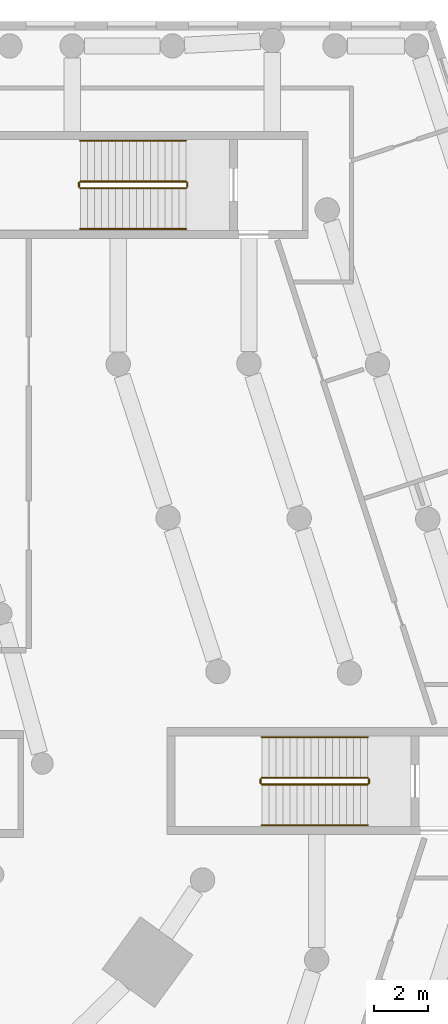
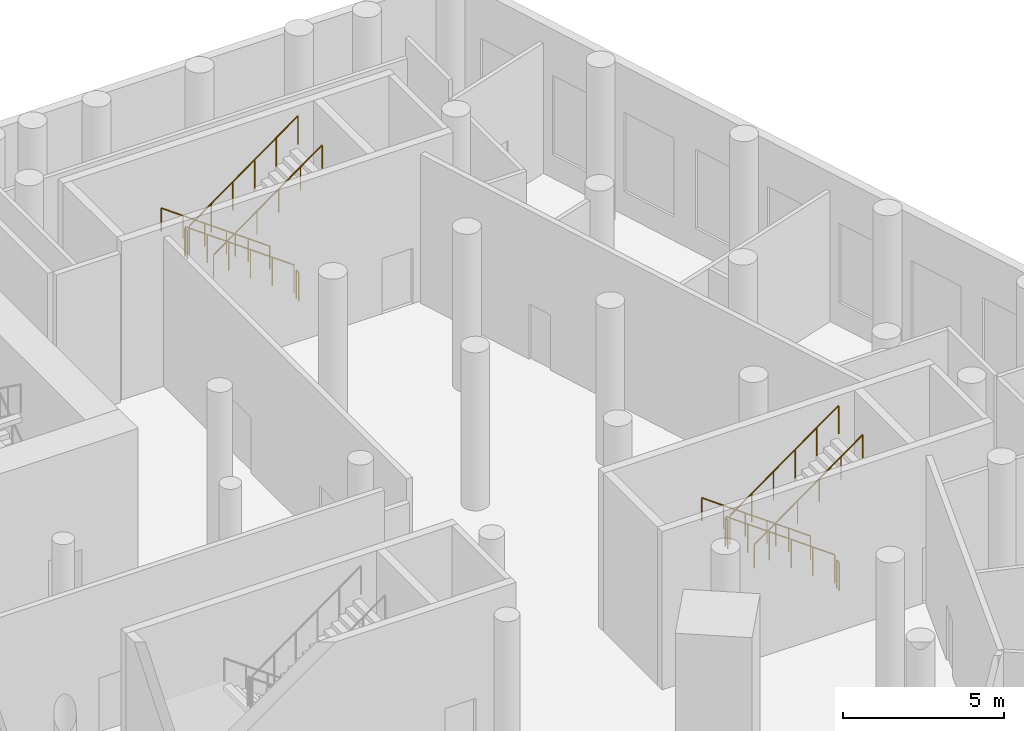
# One storey, part 23 of 23: 12 railings.
"""IFC4 building model written with IfcOpenShell, lengths in metres."""

from ifc_helpers import new_model, si_unit, direction, frame, origin, origin_2d, place, context, subcontext, project, spatial, circle, extrude, material, type_object, element, save


model = new_model("IFC4")

# Units and contexts
model_context = context("Model", 3, precision=1e-05, world=origin(), true_north=direction((0.0, 1.0)))
body_context = subcontext(model_context, "Body", "Model", "MODEL_VIEW")
ifc_project = project(units=[si_unit("LENGTHUNIT", "METRE"), si_unit("AREAUNIT", "SQUARE_METRE"), si_unit("VOLUMEUNIT", "CUBIC_METRE"), si_unit("PLANEANGLEUNIT", "RADIAN"), si_unit("MASSUNIT", "GRAM", prefix="KILO")], contexts=[model_context])

# Site, building, storey
site_placement = place(None, origin())
site = spatial("IfcSite", under=ifc_project, at=site_placement, CompositionType="ELEMENT")
building_placement = place(site_placement, origin())
building = spatial("IfcBuilding", under=site, at=building_placement, Name="White Candle Pilgrim Tower", CompositionType="ELEMENT")
storey_placement = place(building_placement, frame((0.0, 0.0, 9.0)))
storey = spatial("IfcBuildingStorey", under=building, at=storey_placement, Name="L01", CompositionType="ELEMENT", Elevation=9.0)

# Railings
ifc_material = material(Name="Stainless steel", Category="steel")
railing_type_1 = type_object("IfcRailingType", Name="Stair guard stainless steel 1100 mm", PredefinedType="GUARDRAIL", material=ifc_material)
railing_1_placement = place(storey_placement, frame((99.699951171875, 60.10009765625, 0.1875)))
element("IfcRailing", 1, at=railing_1_placement, inside=storey, type_object=railing_type_1, Name="L01 ST9 stair guard 1", PredefinedType="GUARDRAIL", context=body_context, shape_type="SweptSolid", body=[
    extrude(circle(Radius=0.02392578125, at=origin_2d()), frame((0.0, 0.0, 1.076171875), z_axis=(-0.811083382981, 0.0, 0.584930547887), x_axis=(0.0, -1.0, 0.0)), (0.0, 0.0, 1.0), 4.808349609375),
    extrude(circle(Radius=0.02099609375, at=origin_2d()), origin(), (0.0, 0.0, 1.0), 1.052001953125),
    extrude(circle(Radius=0.02099609375, at=origin_2d()), frame((-0.780029296875, 0.0, 0.5625)), (0.0, 0.0, 1.0), 1.052001953125),
    extrude(circle(Radius=0.02099609375, at=origin_2d()), frame((-1.56005859375, 0.0, 1.125)), (0.0, 0.0, 1.0), 1.052001953125),
    extrude(circle(Radius=0.02099609375, at=origin_2d()), frame((-2.33984375, 0.0, 1.6875)), (0.0, 0.0, 1.0), 1.052001953125),
    extrude(circle(Radius=0.02099609375, at=origin_2d()), frame((-3.119873046875, 0.0, 2.25)), (0.0, 0.0, 1.0), 1.052001953125),
    extrude(circle(Radius=0.02099609375, at=origin_2d()), frame((-3.89990234375, 0.0, 2.8125)), (0.0, 0.0, 1.0), 1.052001953125),
])
railing_2_placement = place(storey_placement, frame((95.75, 60.050048828125, 3.0)))
element("IfcRailing", 2, at=railing_2_placement, inside=storey, type_object=railing_type_1, Name="L01 ST9 stair guard 2", PredefinedType="GUARDRAIL", context=body_context, shape_type="SweptSolid", body=[
    extrude(circle(Radius=0.02392578125, at=origin_2d()), frame((0.0, 0.0, 1.076171875), z_axis=(0.0, -1.0, 0.0), x_axis=(1.0, 0.0, 0.0)), (0.0, 0.0, 1.0), 0.150146484375),
    extrude(circle(Radius=0.02099609375, at=origin_2d()), origin(), (0.0, 0.0, 1.0), 1.052001953125),
    extrude(circle(Radius=0.02099609375, at=origin_2d()), frame((0.0, -0.150146484375, 0.0)), (0.0, 0.0, 1.0), 1.052001953125),
])
railing_3_placement = place(storey_placement, frame((95.800048828125, 59.85009765625, 3.1875)))
element("IfcRailing", 3, at=railing_3_placement, inside=storey, type_object=railing_type_1, Name="L01 ST9 stair guard 3", PredefinedType="GUARDRAIL", context=body_context, shape_type="SweptSolid", body=[
    extrude(circle(Radius=0.02392578125, at=origin_2d()), frame((0.0, 0.0, 1.076171875), z_axis=(0.811083382981, 0.0, 0.584930547887), x_axis=(0.0, 1.0, 0.0)), (0.0, 0.0, 1.0), 4.808349609375),
    extrude(circle(Radius=0.02099609375, at=origin_2d()), origin(), (0.0, 0.0, 1.0), 1.052001953125),
    extrude(circle(Radius=0.02099609375, at=origin_2d()), frame((0.780029296875, 0.0, 0.5625)), (0.0, 0.0, 1.0), 1.052001953125),
    extrude(circle(Radius=0.02099609375, at=origin_2d()), frame((1.56005859375, 0.0, 1.125)), (0.0, 0.0, 1.0), 1.052001953125),
    extrude(circle(Radius=0.02099609375, at=origin_2d()), frame((2.33984375, 0.0, 1.6875)), (0.0, 0.0, 1.0), 1.052001953125),
    extrude(circle(Radius=0.02099609375, at=origin_2d()), frame((3.119873046875, 0.0, 2.25)), (0.0, 0.0, 1.0), 1.052001953125),
    extrude(circle(Radius=0.02099609375, at=origin_2d()), frame((3.89990234375, 0.0, 2.8125)), (0.0, 0.0, 1.0), 1.052001953125),
])
railing_4_placement = place(storey_placement, frame((99.75, 60.050048828125, 0.0)))
element("IfcRailing", 4, at=railing_4_placement, inside=storey, type_object=railing_type_1, Name="L01 ST9 stair guard 4", PredefinedType="GUARDRAIL", context=body_context, shape_type="SweptSolid", body=[
    extrude(circle(Radius=0.02392578125, at=origin_2d()), frame((0.0, 0.0, 1.076171875), z_axis=(0.0, -1.0, 0.0), x_axis=(1.0, 0.0, 0.0)), (0.0, 0.0, 1.0), 0.150146484375),
    extrude(circle(Radius=0.02099609375, at=origin_2d()), origin(), (0.0, 0.0, 1.0), 1.052001953125),
    extrude(circle(Radius=0.02099609375, at=origin_2d()), frame((0.0, -0.150146484375, 0.0)), (0.0, 0.0, 1.0), 1.052001953125),
])
railing_5_placement = place(storey_placement, frame((93.0, 82.10009765625, 0.1875)))
element("IfcRailing", 5, at=railing_5_placement, inside=storey, type_object=railing_type_1, Name="L01 ST11 stair guard 1", PredefinedType="GUARDRAIL", context=body_context, shape_type="SweptSolid", body=[
    extrude(circle(Radius=0.02392578125, at=origin_2d()), frame((0.0, 0.0, 1.076171875), z_axis=(-0.811083382981, 0.0, 0.584930547887), x_axis=(0.0, -1.0, 0.0)), (0.0, 0.0, 1.0), 4.808349609375),
    extrude(circle(Radius=0.02099609375, at=origin_2d()), origin(), (0.0, 0.0, 1.0), 1.052001953125),
    extrude(circle(Radius=0.02099609375, at=origin_2d()), frame((-0.780029296875, 0.0, 0.5625)), (0.0, 0.0, 1.0), 1.052001953125),
    extrude(circle(Radius=0.02099609375, at=origin_2d()), frame((-1.56005859375, 0.0, 1.125)), (0.0, 0.0, 1.0), 1.052001953125),
    extrude(circle(Radius=0.02099609375, at=origin_2d()), frame((-2.33984375, 0.0, 1.6875)), (0.0, 0.0, 1.0), 1.052001953125),
    extrude(circle(Radius=0.02099609375, at=origin_2d()), frame((-3.119873046875, 0.0, 2.25)), (0.0, 0.0, 1.0), 1.052001953125),
    extrude(circle(Radius=0.02099609375, at=origin_2d()), frame((-3.89990234375, 0.0, 2.8125)), (0.0, 0.0, 1.0), 1.052001953125),
])
railing_6_placement = place(storey_placement, frame((89.050048828125, 82.050048828125, 3.0)))
element("IfcRailing", 6, at=railing_6_placement, inside=storey, type_object=railing_type_1, Name="L01 ST11 stair guard 2", PredefinedType="GUARDRAIL", context=body_context, shape_type="SweptSolid", body=[
    extrude(circle(Radius=0.02392578125, at=origin_2d()), frame((0.0, 0.0, 1.076171875), z_axis=(0.0, -1.0, 0.0), x_axis=(1.0, 0.0, 0.0)), (0.0, 0.0, 1.0), 0.150146484375),
    extrude(circle(Radius=0.02099609375, at=origin_2d()), origin(), (0.0, 0.0, 1.0), 1.052001953125),
    extrude(circle(Radius=0.02099609375, at=origin_2d()), frame((0.0, -0.150146484375, 0.0)), (0.0, 0.0, 1.0), 1.052001953125),
])
railing_7_placement = place(storey_placement, frame((89.10009765625, 81.85009765625, 3.1875)))
element("IfcRailing", 7, at=railing_7_placement, inside=storey, type_object=railing_type_1, Name="L01 ST11 stair guard 3", PredefinedType="GUARDRAIL", context=body_context, shape_type="SweptSolid", body=[
    extrude(circle(Radius=0.02392578125, at=origin_2d()), frame((0.0, 0.0, 1.076171875), z_axis=(0.811083382981, 0.0, 0.584930547887), x_axis=(0.0, 1.0, 0.0)), (0.0, 0.0, 1.0), 4.808349609375),
    extrude(circle(Radius=0.02099609375, at=origin_2d()), origin(), (0.0, 0.0, 1.0), 1.052001953125),
    extrude(circle(Radius=0.02099609375, at=origin_2d()), frame((0.780029296875, 0.0, 0.5625)), (0.0, 0.0, 1.0), 1.052001953125),
    extrude(circle(Radius=0.02099609375, at=origin_2d()), frame((1.56005859375, 0.0, 1.125)), (0.0, 0.0, 1.0), 1.052001953125),
    extrude(circle(Radius=0.02099609375, at=origin_2d()), frame((2.33984375, 0.0, 1.6875)), (0.0, 0.0, 1.0), 1.052001953125),
    extrude(circle(Radius=0.02099609375, at=origin_2d()), frame((3.119873046875, 0.0, 2.25)), (0.0, 0.0, 1.0), 1.052001953125),
    extrude(circle(Radius=0.02099609375, at=origin_2d()), frame((3.89990234375, 0.0, 2.8125)), (0.0, 0.0, 1.0), 1.052001953125),
])
railing_8_placement = place(storey_placement, frame((93.050048828125, 82.050048828125, 0.0)))
element("IfcRailing", 8, at=railing_8_placement, inside=storey, type_object=railing_type_1, Name="L01 ST11 stair guard 4", PredefinedType="GUARDRAIL", context=body_context, shape_type="SweptSolid", body=[
    extrude(circle(Radius=0.02392578125, at=origin_2d()), frame((0.0, 0.0, 1.076171875), z_axis=(0.0, -1.0, 0.0), x_axis=(1.0, 0.0, 0.0)), (0.0, 0.0, 1.0), 0.150146484375),
    extrude(circle(Radius=0.02099609375, at=origin_2d()), origin(), (0.0, 0.0, 1.0), 1.052001953125),
    extrude(circle(Radius=0.02099609375, at=origin_2d()), frame((0.0, -0.150146484375, 0.0)), (0.0, 0.0, 1.0), 1.052001953125),
])
railing_type_2 = type_object("IfcRailingType", Name="Stair handrail stainless steel", PredefinedType="HANDRAIL", material=ifc_material)
railing_9_placement = place(storey_placement, frame((99.699951171875, 61.60009765625, 0.1875)))
element("IfcRailing", 9, at=railing_9_placement, inside=storey, type_object=railing_type_2, Name="L01 ST9 stair handrail 1", PredefinedType="HANDRAIL", context=body_context, shape_type="SweptSolid", body=[
    extrude(circle(Radius=0.02392578125, at=origin_2d()), frame((0.0, 0.0, 0.8759765625), z_axis=(-0.811083382981, 0.0, 0.584930547887), x_axis=(0.0, -1.0, 0.0)), (0.0, 0.0, 1.0), 4.808349609375),
    extrude(circle(Radius=0.02099609375, at=origin_2d()), origin(), (0.0, 0.0, 1.0), 0.851806640625),
    extrude(circle(Radius=0.02099609375, at=origin_2d()), frame((-0.780029296875, 0.0, 0.5625)), (0.0, 0.0, 1.0), 0.851806640625),
    extrude(circle(Radius=0.02099609375, at=origin_2d()), frame((-1.56005859375, 0.0, 1.125)), (0.0, 0.0, 1.0), 0.851806640625),
    extrude(circle(Radius=0.02099609375, at=origin_2d()), frame((-2.33984375, 0.0, 1.6875)), (0.0, 0.0, 1.0), 0.851806640625),
    extrude(circle(Radius=0.02099609375, at=origin_2d()), frame((-3.119873046875, 0.0, 2.25)), (0.0, 0.0, 1.0), 0.851806640625),
    extrude(circle(Radius=0.02099609375, at=origin_2d()), frame((-3.89990234375, 0.0, 2.8125)), (0.0, 0.0, 1.0), 0.851806640625),
])
railing_10_placement = place(storey_placement, frame((95.800048828125, 58.35009765625, 3.1875)))
element("IfcRailing", 10, at=railing_10_placement, inside=storey, type_object=railing_type_2, Name="L01 ST9 stair handrail 2", PredefinedType="HANDRAIL", context=body_context, shape_type="SweptSolid", body=[
    extrude(circle(Radius=0.02392578125, at=origin_2d()), frame((0.0, 0.0, 0.8759765625), z_axis=(0.811083382981, 0.0, 0.584930547887), x_axis=(0.0, 1.0, 0.0)), (0.0, 0.0, 1.0), 4.808349609375),
    extrude(circle(Radius=0.02099609375, at=origin_2d()), origin(), (0.0, 0.0, 1.0), 0.851806640625),
    extrude(circle(Radius=0.02099609375, at=origin_2d()), frame((0.780029296875, 0.0, 0.5625)), (0.0, 0.0, 1.0), 0.851806640625),
    extrude(circle(Radius=0.02099609375, at=origin_2d()), frame((1.56005859375, 0.0, 1.125)), (0.0, 0.0, 1.0), 0.851806640625),
    extrude(circle(Radius=0.02099609375, at=origin_2d()), frame((2.33984375, 0.0, 1.6875)), (0.0, 0.0, 1.0), 0.851806640625),
    extrude(circle(Radius=0.02099609375, at=origin_2d()), frame((3.119873046875, 0.0, 2.25)), (0.0, 0.0, 1.0), 0.851806640625),
    extrude(circle(Radius=0.02099609375, at=origin_2d()), frame((3.89990234375, 0.0, 2.8125)), (0.0, 0.0, 1.0), 0.851806640625),
])
railing_11_placement = place(storey_placement, frame((93.0, 83.60009765625, 0.1875)))
element("IfcRailing", 11, at=railing_11_placement, inside=storey, type_object=railing_type_2, Name="L01 ST11 stair handrail 1", PredefinedType="HANDRAIL", context=body_context, shape_type="SweptSolid", body=[
    extrude(circle(Radius=0.02392578125, at=origin_2d()), frame((0.0, 0.0, 0.8759765625), z_axis=(-0.811083382981, 0.0, 0.584930547887), x_axis=(0.0, -1.0, 0.0)), (0.0, 0.0, 1.0), 4.808349609375),
    extrude(circle(Radius=0.02099609375, at=origin_2d()), origin(), (0.0, 0.0, 1.0), 0.851806640625),
    extrude(circle(Radius=0.02099609375, at=origin_2d()), frame((-0.780029296875, 0.0, 0.5625)), (0.0, 0.0, 1.0), 0.851806640625),
    extrude(circle(Radius=0.02099609375, at=origin_2d()), frame((-1.56005859375, 0.0, 1.125)), (0.0, 0.0, 1.0), 0.851806640625),
    extrude(circle(Radius=0.02099609375, at=origin_2d()), frame((-2.33984375, 0.0, 1.6875)), (0.0, 0.0, 1.0), 0.851806640625),
    extrude(circle(Radius=0.02099609375, at=origin_2d()), frame((-3.119873046875, 0.0, 2.25)), (0.0, 0.0, 1.0), 0.851806640625),
    extrude(circle(Radius=0.02099609375, at=origin_2d()), frame((-3.89990234375, 0.0, 2.8125)), (0.0, 0.0, 1.0), 0.851806640625),
])
railing_12_placement = place(storey_placement, frame((89.10009765625, 80.35009765625, 3.1875)))
element("IfcRailing", 12, at=railing_12_placement, inside=storey, type_object=railing_type_2, Name="L01 ST11 stair handrail 2", PredefinedType="HANDRAIL", context=body_context, shape_type="SweptSolid", body=[
    extrude(circle(Radius=0.02392578125, at=origin_2d()), frame((0.0, 0.0, 0.8759765625), z_axis=(0.811083382981, 0.0, 0.584930547887), x_axis=(0.0, 1.0, 0.0)), (0.0, 0.0, 1.0), 4.808349609375),
    extrude(circle(Radius=0.02099609375, at=origin_2d()), origin(), (0.0, 0.0, 1.0), 0.851806640625),
    extrude(circle(Radius=0.02099609375, at=origin_2d()), frame((0.780029296875, 0.0, 0.5625)), (0.0, 0.0, 1.0), 0.851806640625),
    extrude(circle(Radius=0.02099609375, at=origin_2d()), frame((1.56005859375, 0.0, 1.125)), (0.0, 0.0, 1.0), 0.851806640625),
    extrude(circle(Radius=0.02099609375, at=origin_2d()), frame((2.33984375, 0.0, 1.6875)), (0.0, 0.0, 1.0), 0.851806640625),
    extrude(circle(Radius=0.02099609375, at=origin_2d()), frame((3.119873046875, 0.0, 2.25)), (0.0, 0.0, 1.0), 0.851806640625),
    extrude(circle(Radius=0.02099609375, at=origin_2d()), frame((3.89990234375, 0.0, 2.8125)), (0.0, 0.0, 1.0), 0.851806640625),
])

save(model, "model.ifc")
